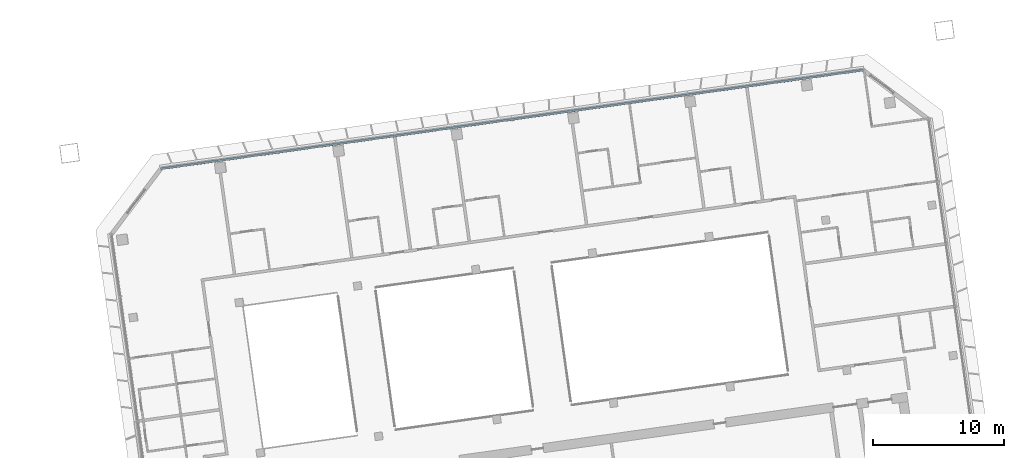
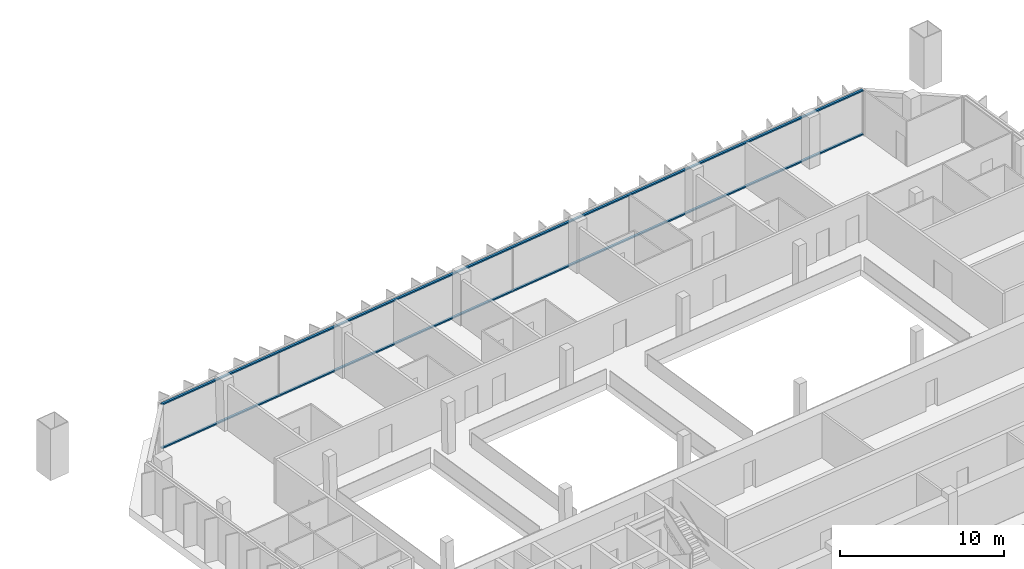
# One storey, part 12 of 26: 2 members, 1 element without a shape of its own.
"""IFC4 building model written with IfcOpenShell, lengths in metres."""

from ifc_helpers import new_model, si_unit, direction, frame, origin, origin_2d, place, context, subcontext, project, spatial, rectangle, extrude, material, material_profile, profile_set, type_object, element, aggregate, save


model = new_model("IFC4")

# Units and contexts
model_context = context("Model", 3, precision=1e-05, world=origin(), true_north=direction((0.0, 1.0)))
body_context = subcontext(model_context, "Body", "Model", "MODEL_VIEW")
ifc_project = project(units=[si_unit("LENGTHUNIT", "METRE"), si_unit("AREAUNIT", "SQUARE_METRE"), si_unit("VOLUMEUNIT", "CUBIC_METRE"), si_unit("PLANEANGLEUNIT", "RADIAN"), si_unit("MASSUNIT", "GRAM", prefix="KILO")], contexts=[model_context])

# Site, building, storey
site_placement = place(None, origin())
site = spatial("IfcSite", under=ifc_project, at=site_placement, CompositionType="ELEMENT")
building_placement = place(site_placement, origin())
building = spatial("IfcBuilding", under=site, at=building_placement, Name="Mirante Cascada Hotel Towers", CompositionType="ELEMENT")
storey_placement = place(building_placement, frame((0.0, 0.0, 168.8)))
storey = spatial("IfcBuildingStorey", under=building, at=storey_placement, Name="L39", CompositionType="ELEMENT", Elevation=168.8)

# Curtain wall, members
ifc_material_1 = material(Name="Aluminium mullion and transom frame with clear laminated glass", Category="aluminium")
curtain_wall_type = type_object("IfcCurtainWallType", Name="Ribbon curtain wall ECW1", PredefinedType="NOTDEFINED", material=ifc_material_1)
curtain_wall_placement = place(storey_placement, origin())
curtain_wall = element("IfcCurtainWall", 1, at=curtain_wall_placement, inside=storey, type_object=curtain_wall_type, Name="Front ribbon wall T2 L39", PredefinedType="NOTDEFINED")
ifc_material_2 = material(Name="Anodised aluminium extrusion", Category="aluminium")
ifc_material_profile = material_profile(ifc_material_2, rectangle(XDim=0.16, YDim=0.1, at=origin_2d()), Name="ECW1 TRANSOM 100x160")
ifc_profile_set = profile_set([ifc_material_profile], Name="Anodised aluminium extrusion")
member_type = type_object("IfcMemberType", Name="ECW1 transom 100x160", PredefinedType="USERDEFINED", material=ifc_profile_set)
member_1_placement = place(storey_placement, frame((85.2457, 24.7995, 0.05), z_axis=(-0.9902682, -0.1391722, 0.0), x_axis=(0.1391722, -0.9902682, 0.0)))
member_1 = element("IfcMember", 2, at=member_1_placement, type_object=member_type, Name="ECW1 sill transom", ObjectType="TRANSOM", PredefinedType="USERDEFINED", context=body_context, shape_type="SweptSolid", body=[
    extrude(rectangle(XDim=0.16, YDim=0.1, at=origin_2d()), origin(), (0.0, 0.0, 1.0), 54.2134),
])
member_2_placement = place(storey_placement, frame((85.2457, 24.7995, 3.3), z_axis=(-0.9902682, -0.1391722, 0.0), x_axis=(0.1391722, -0.9902682, 0.0)))
member_2 = element("IfcMember", 3, at=member_2_placement, type_object=member_type, Name="ECW1 head transom", ObjectType="TRANSOM", PredefinedType="USERDEFINED", context=body_context, shape_type="SweptSolid", body=[
    extrude(rectangle(XDim=0.16, YDim=0.1, at=origin_2d()), origin(), (0.0, 0.0, 1.0), 54.2134),
])
aggregate(curtain_wall, [member_1, member_2])

save(model, "model.ifc")
